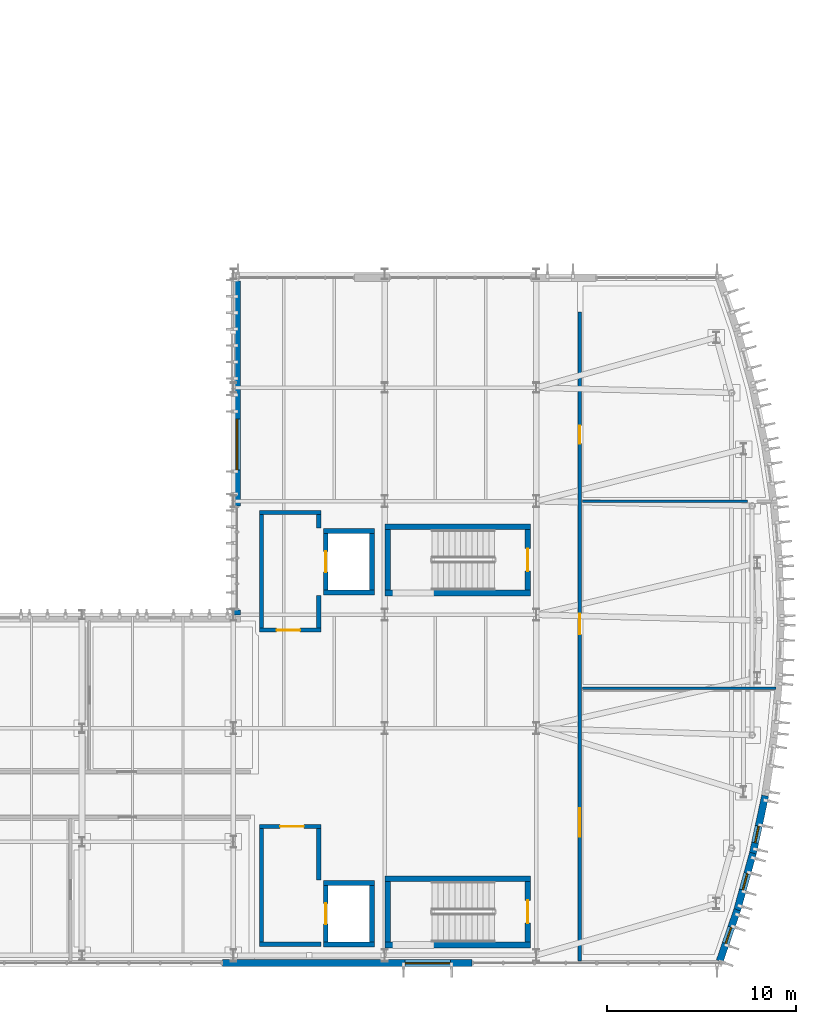
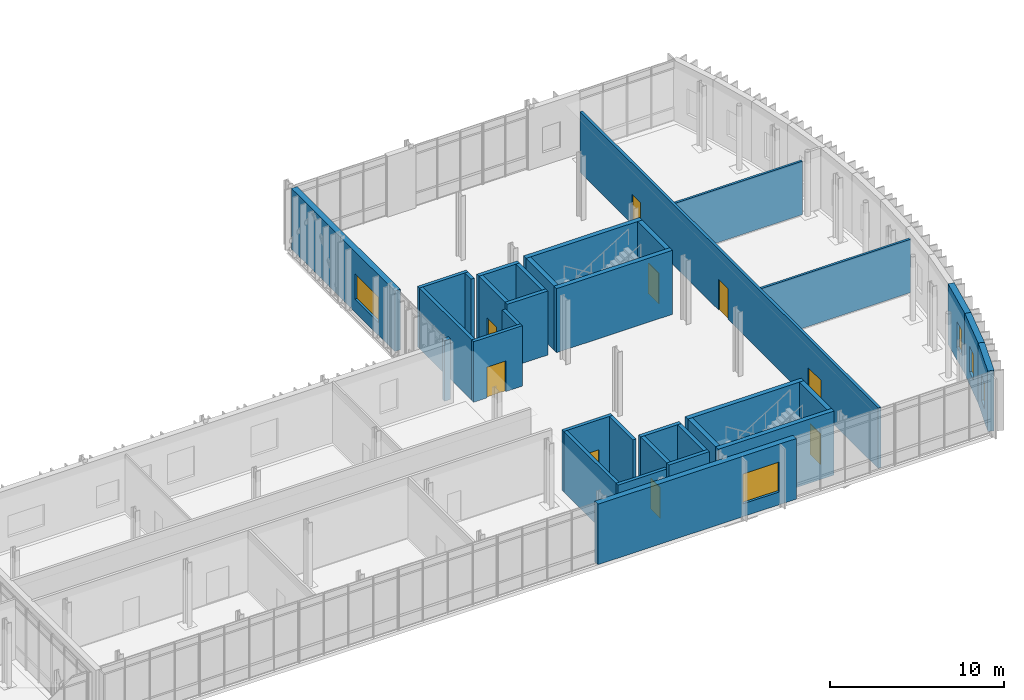
# One storey, part 72 of 100: 34 walls, 9 doors, 5 windows, 14 openings.
"""IFC4 building model written with IfcOpenShell, lengths in metres."""

import ifcopenshell
import ifcopenshell.guid

model = None  # the IFC model being written
_history = None  # IfcOwnerHistory: only IFC2X3 demands one
_inside = {}  # id of a spatial element -> (the spatial element, [elements in it])
_under = {}  # id of a project, library or spatial element -> (it, [spatial elements below it])
_declared = {}  # id of a project -> (the project, [libraries it declares])
_typed = {}  # id of a type object -> (the type object, [elements of that type])
_made_of = {}  # id of a material, layer set ... -> (it, [elements and type objects made of it])


def new_model(schema):
    """Start an empty IFC model of exactly this schema.

    Asked for "IFC4X3", IfcOpenShell would pick the latest addendum, in which some entities
    have other attributes; the version numbers below select the first issue.
    IFC2X3 requires an IfcOwnerHistory on every rooted entity: one is made here for all.
    """
    global model, _history
    if schema == "IFC4X3":
        model = ifcopenshell.file(schema_version=(4, 3, 0, 0))
    else:
        model = ifcopenshell.file(schema=schema)
    _inside.clear()
    _under.clear()
    _declared.clear()
    _typed.clear()
    _made_of.clear()
    _history = None
    if model.schema == "IFC2X3":
        org = make("IfcOrganization", Name="unknown")
        user = make(
            "IfcPersonAndOrganization",
            ThePerson=make("IfcPerson", FamilyName="unknown"),
            TheOrganization=org,
        )
        app = make(
            "IfcApplication",
            ApplicationDeveloper=org,
            Version="unknown",
            ApplicationFullName="unknown",
            ApplicationIdentifier="unknown",
        )
        _history = make(
            "IfcOwnerHistory",
            OwningUser=user,
            OwningApplication=app,
            ChangeAction="ADDED",
            CreationDate=0,
        )
    return model


def make(cls, **values):
    """One entity of the class cls with the attributes given. An attribute that is None is left unset."""
    return model.create_entity(
        cls, **{name: value for name, value in values.items() if value is not None}
    )


def rooted(cls, **values):
    """An entity with a GlobalId (a new one), such as an element, a storey or a relation."""
    return make(cls, GlobalId=ifcopenshell.guid.new(), OwnerHistory=_history, **values)


def si_unit(unit_type, name, prefix=None):
    """IfcSIUnit, for example si_unit("LENGTHUNIT", "METRE", prefix="MILLI")."""
    return make("IfcSIUnit", UnitType=unit_type, Prefix=prefix, Name=name)


def assignment(units):
    """IfcUnitAssignment: the units of a project."""
    return None if units is None else make("IfcUnitAssignment", Units=units)


def point(xyz):
    """IfcCartesianPoint."""
    return None if xyz is None else make("IfcCartesianPoint", Coordinates=xyz)


def direction(xyz):
    """IfcDirection."""
    return None if xyz is None else make("IfcDirection", DirectionRatios=xyz)


def frame(location, z_axis=None, x_axis=None):
    """IfcAxis2Placement3D, a coordinate frame: its origin and axes. An axis left out is left unset."""
    return make(
        "IfcAxis2Placement3D",
        Location=point(location),
        Axis=direction(z_axis),
        RefDirection=direction(x_axis),
    )


def frame_2d(location, x_axis=None):
    """IfcAxis2Placement2D, a coordinate frame in the plane: its origin and x axis."""
    return make(
        "IfcAxis2Placement2D", Location=point(location), RefDirection=direction(x_axis)
    )


def origin():
    """The frame at (0, 0, 0) with its axes left unset."""
    return frame((0.0, 0.0, 0.0))


def place(relative_to, where):
    """IfcLocalPlacement: puts the frame where relative to a parent placement (None: the world)."""
    return make(
        "IfcLocalPlacement", PlacementRelTo=relative_to, RelativePlacement=where
    )


def context(
    kind, dimensions, precision=None, world=None, true_north=None, identifier=None
):
    """IfcGeometricRepresentationContext, for example the 3D "Model" context."""
    return make(
        "IfcGeometricRepresentationContext",
        ContextIdentifier=identifier,
        ContextType=kind,
        CoordinateSpaceDimension=dimensions,
        Precision=precision,
        WorldCoordinateSystem=world,
        TrueNorth=true_north,
    )


def subcontext(parent, identifier, kind, view, scale=None):
    """IfcGeometricRepresentationSubContext, for example "Body" below "Model"."""
    return make(
        "IfcGeometricRepresentationSubContext",
        ContextIdentifier=identifier,
        ContextType=kind,
        ParentContext=parent,
        TargetScale=scale,
        TargetView=view,
    )


def project(units=None, contexts=None):
    """IfcProject with its units and contexts."""
    return rooted(
        "IfcProject",
        Name="project",
        RepresentationContexts=contexts,
        UnitsInContext=assignment(units),
    )


def spatial(cls, under=None, at=None, **own):
    """A site, building, storey or space (cls), placed at a placement, below another one or the project."""
    s = rooted(cls, ObjectPlacement=at, **own)
    if under is not None:
        _under.setdefault(under.id(), (under, []))[1].append(s)
    return s


def profile(cls, at=None, kind="AREA", **sizes):
    """A parametric profile (cls). Its sizes go by their IFC names, for example OverallWidth=200.0."""
    return make(cls, ProfileType=kind, Position=at, **sizes)


def rectangle(**sizes):
    """IfcRectangleProfileDef."""
    return profile("IfcRectangleProfileDef", **sizes)


def extrude(swept, where, along, depth):
    """IfcExtrudedAreaSolid: the profile swept, set in the frame where, extruded along a direction by depth."""
    return make(
        "IfcExtrudedAreaSolid",
        SweptArea=swept,
        Position=where,
        ExtrudedDirection=direction(along),
        Depth=depth,
    )


def shape(context_of_items, identifier, shape_type, items):
    """IfcShapeRepresentation: the items that make up one representation, for example the "Body"."""
    return make(
        "IfcShapeRepresentation",
        ContextOfItems=context_of_items,
        RepresentationIdentifier=identifier,
        RepresentationType=shape_type,
        Items=items,
    )


def material(Name=None, Category=None):
    """IfcMaterial."""
    return make("IfcMaterial", Name=Name, Category=Category)


def layer(
    of_material, thickness, ventilated=None, Name=None, Category=None, Priority=None
):
    """IfcMaterialLayer: one layer of a wall or slab, of a material (None: an air gap)."""
    return make(
        "IfcMaterialLayer",
        Material=of_material,
        LayerThickness=thickness,
        IsVentilated=ventilated,
        Name=Name,
        Category=Category,
        Priority=Priority,
    )


def layer_set(layers, Name=None):
    """IfcMaterialLayerSet."""
    return make("IfcMaterialLayerSet", MaterialLayers=layers, LayerSetName=Name)


def made_of(thing, what):
    """Note that an element or type object is made of a material, layer set ...; save() writes the relation."""
    if what is not None:
        _made_of.setdefault(what.id(), (what, []))[1].append(thing)
    return thing


def type_object(cls, material=None, **own):
    """A type object (cls), such as IfcWallType, which elements share."""
    return made_of(rooted(cls, **own), material)


def element(
    cls,
    number,
    at=None,
    inside=None,
    cuts=None,
    type_object=None,
    material=None,
    context=None,
    identifier="Body",
    shape_type=None,
    held_by="IfcProductDefinitionShape",
    body=None,
    shapes=None,
    **own,
):
    """One element of the class cls, such as IfcWall. Its Tag is "e" and its number.

    at: its placement. inside: the storey or other place that contains it. cuts: it is an
    opening in that element (IfcRelVoidsElement). A single representation is given by context,
    identifier, shape_type and body (its items); several are given by shapes. held_by: the class
    of the entity that holds the representations. save() writes the other relations.
    """
    e = rooted(cls, Tag="e%d" % number, ObjectPlacement=at, **own)
    if body is not None:
        shapes = [shape(context, identifier, shape_type, body)]
    if shapes is not None:
        e.Representation = make(held_by, Representations=shapes)
    if inside is not None:
        _inside.setdefault(inside.id(), (inside, []))[1].append(e)
    if cuts is not None:
        rooted(
            "IfcRelVoidsElement", RelatingBuildingElement=cuts, RelatedOpeningElement=e
        )
    if type_object is not None:
        _typed.setdefault(type_object.id(), (type_object, []))[1].append(e)
    return made_of(e, material)


def fill(opening, filler):
    """IfcRelFillsElement: the door or window that sits in an opening."""
    return rooted(
        "IfcRelFillsElement",
        RelatingOpeningElement=opening,
        RelatedBuildingElement=filler,
    )


def aggregate(whole, parts):
    """IfcRelAggregates: a whole, such as a stair, and the parts it consists of."""
    return rooted("IfcRelAggregates", RelatingObject=whole, RelatedObjects=parts)


def save(model, path):
    """Write the relations noted so far, then the file.

    IfcRelAggregates (storeys below a building ...), IfcRelContainedInSpatialStructure (elements
    in a storey), IfcRelDefinesByType, IfcRelAssociatesMaterial and IfcRelDeclares: one each for
    every whole, place, type object, material and project.
    """
    for whole, parts in _under.values():
        aggregate(whole, parts)
    for where, things in _inside.values():
        rooted(
            "IfcRelContainedInSpatialStructure",
            RelatedElements=things,
            RelatingStructure=where,
        )
    for kind, things in _typed.values():
        rooted("IfcRelDefinesByType", RelatedObjects=things, RelatingType=kind)
    for what, things in _made_of.values():
        rooted("IfcRelAssociatesMaterial", RelatedObjects=things, RelatingMaterial=what)
    for by, libraries in _declared.values():
        rooted("IfcRelDeclares", RelatingContext=by, RelatedDefinitions=libraries)
    model.write(path)


model = new_model("IFC4")

# Units and contexts
model_context = context("Model", 3, precision=1e-05, world=origin(), true_north=direction((0.0, 1.0)))
body_context = subcontext(model_context, "Body", "Model", "MODEL_VIEW")
ifc_project = project(units=[si_unit("LENGTHUNIT", "METRE"), si_unit("AREAUNIT", "SQUARE_METRE"), si_unit("VOLUMEUNIT", "CUBIC_METRE"), si_unit("PLANEANGLEUNIT", "RADIAN"), si_unit("MASSUNIT", "GRAM", prefix="KILO")], contexts=[model_context])

# Site, building, storey
site_placement = place(None, origin())
site = spatial("IfcSite", under=ifc_project, at=site_placement, CompositionType="ELEMENT")
building_placement = place(site_placement, origin())
building = spatial("IfcBuilding", under=site, at=building_placement, Name="Cymarion Research Institute", CompositionType="ELEMENT")
storey_placement = place(building_placement, frame((0.0, 0.0, 4.800048828125)))
storey = spatial("IfcBuildingStorey", under=building, at=storey_placement, Name="L01", CompositionType="ELEMENT", Elevation=4.800048828125)

# Wall, opening, window
ifc_material_1 = material(Name="Precast concrete C40/50", Category="concrete")
ifc_layer_1 = layer(ifc_material_1, 0.3798828125)
ifc_layer_set_1 = layer_set([ifc_layer_1], Name="Precast concrete C40/50")
wall_type_1 = type_object("IfcWallType", Name="EXTERIOR WALL EW-PC380 380MM", PredefinedType="SOLIDWALL", material=ifc_layer_set_1)
wall_1_placement = place(storey_placement, frame((138.027587890625, 5.090087890625, 0.0), z_axis=(0.0, 0.0, 1.0), x_axis=(1.0, 0.0, 0.0)))
wall_1 = element("IfcWall", 1, at=wall_1_placement, inside=storey, type_object=wall_type_1, Name="L01 V1 facade pier wall EW-PC380 #75", PredefinedType="SOLIDWALL", context=body_context, shape_type="SweptSolid", body=[
    extrude(rectangle(XDim=13.186279296875, YDim=0.3798828125, at=frame_2d((6.59326171875, 0.0))), origin(), (0.0, 0.0, 1.0), 4.25),
])
opening_1_placement = place(wall_1_placement, frame((9.638916015625, 0.0, 0.89990234375)))
opening_1 = element("IfcOpeningElement", 2, at=opening_1_placement, cuts=wall_1, Name="Opening W12", PredefinedType="OPENING", context=body_context, shape_type="SweptSolid", body=[
    extrude(rectangle(XDim=2.39990234375, YDim=2.10009765625, at=frame_2d((1.199951171875, 1.050048828125))), frame((0.0, 0.199951171875, 0.0), z_axis=(0.0, -1.0, 0.0), x_axis=(1.0, 0.0, 0.0)), (0.0, 0.0, 1.0), 0.39990234375),
])
ifc_material_2 = material(Name="Thermally broken aluminium window with Low-E glazing", Category="aluminium")
window_type_1 = type_object("IfcWindowType", Name="THERMALLY BROKEN ALUMINIUM WINDOW W12 2400X2100", PartitioningType="TRIPLE_PANEL_VERTICAL", PredefinedType="WINDOW", material=ifc_material_2)
window_1_placement = place(opening_1_placement, origin())
window_1 = element("IfcWindow", 3, at=window_1_placement, inside=storey, type_object=window_type_1, Name="L01 V1 facade window W12 #146", OverallHeight=2.10009765625, OverallWidth=2.39990234375, PartitioningType="SINGLE_PANEL", PredefinedType="WINDOW", context=body_context, shape_type="SweptSolid", body=[
    extrude(rectangle(XDim=2.39990234375, YDim=2.10009765625, at=frame_2d((1.199951171875, 1.050048828125))), frame((0.0, 0.030029296875, 0.0), z_axis=(0.0, -1.0, 0.0), x_axis=(1.0, 0.0, 0.0)), (0.0, 0.0, 1.0), 0.06005859375),
])
fill(opening_1, window_1)

wall_2_placement = place(storey_placement, frame((164.30224609375, 5.201416015625, 0.0), z_axis=(0.0, 0.0, 1.0), x_axis=(0.323739917301, 0.946146112366, 0.0)))
wall_2 = element("IfcWall", 4, at=wall_2_placement, inside=storey, type_object=wall_type_1, Name="L01 V1 exterior wall EW-PC380 #76", PredefinedType="SOLIDWALL", context=body_context, shape_type="SweptSolid", body=[
    extrude(rectangle(XDim=2.862548828125, YDim=0.3798828125, at=frame_2d((1.43115234375, 0.0))), origin(), (0.0, 0.0, 1.0), 4.25),
])
opening_2_placement = place(wall_2_placement, frame((0.98095703125, 0.0, 0.89990234375)))
opening_2 = element("IfcOpeningElement", 5, at=opening_2_placement, cuts=wall_2, Name="Opening W24", PredefinedType="OPENING", context=body_context, shape_type="SweptSolid", body=[
    extrude(rectangle(XDim=0.89990234375, YDim=1.800048828125, at=frame_2d((0.449951171875, 0.89990234375))), frame((0.0, 0.199951171875, 0.0), z_axis=(0.0, -1.0, 0.0), x_axis=(1.0, 0.0, 0.0)), (0.0, 0.0, 1.0), 0.39990234375),
])
window_type_2 = type_object("IfcWindowType", Name="THERMALLY BROKEN ALUMINIUM WINDOW W24 900X1800", PartitioningType="SINGLE_PANEL", PredefinedType="WINDOW", material=ifc_material_2)
window_2_placement = place(opening_2_placement, origin())
window_2 = element("IfcWindow", 6, at=window_2_placement, inside=storey, type_object=window_type_2, Name="L01 V1 facade window W24 #147", OverallHeight=1.800048828125, OverallWidth=0.89990234375, PartitioningType="SINGLE_PANEL", PredefinedType="WINDOW", context=body_context, shape_type="SweptSolid", body=[
    extrude(rectangle(XDim=0.89990234375, YDim=1.800048828125, at=frame_2d((0.449951171875, 0.89990234375))), frame((0.0, 0.030029296875, 0.0), z_axis=(0.0, -1.0, 0.0), x_axis=(1.0, 0.0, 0.0)), (0.0, 0.0, 1.0), 0.06005859375),
])
fill(opening_2, window_2)

wall_3_placement = place(storey_placement, frame((165.222412109375, 7.8876953125, 0.0), z_axis=(0.0, 0.0, 1.0), x_axis=(0.266536691105, 0.963824772609, 0.0)))
wall_3 = element("IfcWall", 7, at=wall_3_placement, inside=storey, type_object=wall_type_1, Name="L01 V1 exterior wall EW-PC380 #77", PredefinedType="SOLIDWALL", context=body_context, shape_type="SweptSolid", body=[
    extrude(rectangle(XDim=3.1279296875, YDim=0.3798828125, at=frame_2d((1.56396484375, 0.0))), origin(), (0.0, 0.0, 1.0), 4.25),
])
opening_3_placement = place(wall_3_placement, frame((1.114013671875, 0.0, 0.89990234375)))
opening_3 = element("IfcOpeningElement", 8, at=opening_3_placement, cuts=wall_3, Name="Opening W24", PredefinedType="OPENING", context=body_context, shape_type="SweptSolid", body=[
    extrude(rectangle(XDim=0.89990234375, YDim=1.800048828125, at=frame_2d((0.449951171875, 0.89990234375))), frame((0.0, 0.199951171875, 0.0), z_axis=(0.0, -1.0, 0.0), x_axis=(1.0, 0.0, 0.0)), (0.0, 0.0, 1.0), 0.39990234375),
])
window_3_placement = place(opening_3_placement, origin())
window_3 = element("IfcWindow", 9, at=window_3_placement, inside=storey, type_object=window_type_2, Name="L01 V1 facade window W24 #148", OverallHeight=1.800048828125, OverallWidth=0.89990234375, PartitioningType="SINGLE_PANEL", PredefinedType="WINDOW", context=body_context, shape_type="SweptSolid", body=[
    extrude(rectangle(XDim=0.89990234375, YDim=1.800048828125, at=frame_2d((0.449951171875, 0.89990234375))), frame((0.0, 0.030029296875, 0.0), z_axis=(0.0, -1.0, 0.0), x_axis=(1.0, 0.0, 0.0)), (0.0, 0.0, 1.0), 0.06005859375),
])
fill(opening_3, window_3)

wall_4_placement = place(storey_placement, frame((166.05078125, 10.8798828125, 0.0), z_axis=(0.0, 0.0, 1.0), x_axis=(0.208287141705, 0.978067720866, 0.0)))
wall_4 = element("IfcWall", 10, at=wall_4_placement, inside=storey, type_object=wall_type_1, Name="L01 V1 exterior wall EW-PC380 #78", PredefinedType="SOLIDWALL", context=body_context, shape_type="SweptSolid", body=[
    extrude(rectangle(XDim=3.12841796875, YDim=0.3798828125, at=frame_2d((1.564208984375, 0.0))), origin(), (0.0, 0.0, 1.0), 4.25),
])
opening_4_placement = place(wall_4_placement, frame((0.5830078125, 0.0, 0.89990234375)))
opening_4 = element("IfcOpeningElement", 11, at=opening_4_placement, cuts=wall_4, Name="Opening W24", PredefinedType="OPENING", context=body_context, shape_type="SweptSolid", body=[
    extrude(rectangle(XDim=0.89990234375, YDim=1.800048828125, at=frame_2d((0.449951171875, 0.89990234375))), frame((0.0, 0.199951171875, 0.0), z_axis=(0.0, -1.0, 0.0), x_axis=(1.0, 0.0, 0.0)), (0.0, 0.0, 1.0), 0.39990234375),
])
window_4_placement = place(opening_4_placement, origin())
window_4 = element("IfcWindow", 12, at=window_4_placement, inside=storey, type_object=window_type_2, Name="L01 V1 facade window W24 #149", OverallHeight=1.800048828125, OverallWidth=0.89990234375, PartitioningType="SINGLE_PANEL", PredefinedType="WINDOW", context=body_context, shape_type="SweptSolid", body=[
    extrude(rectangle(XDim=0.89990234375, YDim=1.800048828125, at=frame_2d((0.449951171875, 0.89990234375))), frame((0.0, 0.030029296875, 0.0), z_axis=(0.0, -1.0, 0.0), x_axis=(1.0, 0.0, 0.0)), (0.0, 0.0, 1.0), 0.06005859375),
])
fill(opening_4, window_4)

wall_5_placement = place(storey_placement, frame((138.7900390625, 41.137939453125, 0.0), z_axis=(0.0, 0.0, 1.0), x_axis=(0.0, -1.0, 0.0)))
wall_5 = element("IfcWall", 13, at=wall_5_placement, inside=storey, type_object=wall_type_1, Name="L01 V1 facade pier wall EW-PC380 #91", PredefinedType="SOLIDWALL", context=body_context, shape_type="SweptSolid", body=[
    extrude(rectangle(XDim=11.89794921875, YDim=0.3798828125, at=frame_2d((5.948974609375, 0.0))), origin(), (0.0, 0.0, 1.0), 4.25),
])
opening_5_placement = place(wall_5_placement, frame((7.298095703125, 0.0, 0.89990234375)))
opening_5 = element("IfcOpeningElement", 14, at=opening_5_placement, cuts=wall_5, Name="Opening W06", PredefinedType="OPENING", context=body_context, shape_type="SweptSolid", body=[
    extrude(rectangle(XDim=2.699951171875, YDim=1.800048828125, at=frame_2d((1.35009765625, 0.89990234375))), frame((0.0, 0.199951171875, 0.0), z_axis=(0.0, -1.0, 0.0), x_axis=(1.0, 0.0, 0.0)), (0.0, 0.0, 1.0), 0.39990234375),
])
window_type_3 = type_object("IfcWindowType", Name="THERMALLY BROKEN ALUMINIUM WINDOW W06 2700X1800", PartitioningType="TRIPLE_PANEL_VERTICAL", PredefinedType="WINDOW", material=ifc_material_2)
window_5_placement = place(opening_5_placement, origin())
window_5 = element("IfcWindow", 15, at=window_5_placement, inside=storey, type_object=window_type_3, Name="L01 V1 facade window W06 #160", OverallHeight=1.800048828125, OverallWidth=2.699951171875, PartitioningType="SINGLE_PANEL", PredefinedType="WINDOW", context=body_context, shape_type="SweptSolid", body=[
    extrude(rectangle(XDim=2.699951171875, YDim=1.800048828125, at=frame_2d((1.35009765625, 0.89990234375))), frame((0.0, 0.030029296875, 0.0), z_axis=(0.0, -1.0, 0.0), x_axis=(1.0, 0.0, 0.0)), (0.0, 0.0, 1.0), 0.06005859375),
])
fill(opening_5, window_5)

# Walls
wall_6_placement = place(storey_placement, frame((138.7900390625, 23.760009765625, 0.0), z_axis=(0.0, 0.0, 1.0), x_axis=(0.0, -1.0, 0.0)))
element("IfcWall", 16, at=wall_6_placement, inside=storey, type_object=wall_type_1, Name="L01 V1 facade pier wall EW-PC380 #92", PredefinedType="SOLIDWALL", context=body_context, shape_type="SweptSolid", body=[
    extrude(rectangle(XDim=0.260009765625, YDim=0.3798828125, at=frame_2d((0.1298828125, 0.0))), origin(), (0.0, 0.0, 1.0), 4.25),
])
ifc_material_3 = material(Name="Gypsum acoustic double-stud partition", Category="gypsum")
ifc_layer_2 = layer(ifc_material_3, 0.14990234375)
ifc_layer_set_2 = layer_set([ifc_layer_2], Name="Gypsum acoustic double-stud partition")
wall_type_2 = type_object("IfcWallType", Name="INTERIOR PARTITION IW-AC150 150MM", PredefinedType="PARTITIONING", material=ifc_layer_set_2)
wall_7_placement = place(storey_placement, frame((157.050048828125, 19.6201171875, 0.0), z_axis=(0.0, 0.0, 1.0), x_axis=(1.0, 0.0, 0.0)))
element("IfcWall", 17, at=wall_7_placement, inside=storey, type_object=wall_type_2, Name="L01 V1 interior partition IW-AC150 #117", PredefinedType="PARTITIONING", context=body_context, shape_type="SweptSolid", body=[
    extrude(rectangle(XDim=10.23486328125, YDim=0.14990234375, at=frame_2d((5.117431640625, 0.0))), origin(), (0.0, 0.0, 1.0), 3.75),
])
wall_8_placement = place(storey_placement, frame((157.050048828125, 29.5, 0.0), z_axis=(0.0, 0.0, 1.0), x_axis=(1.0, 0.0, 0.0)))
element("IfcWall", 18, at=wall_8_placement, inside=storey, type_object=wall_type_2, Name="L01 V1 interior partition IW-AC150 #118", PredefinedType="PARTITIONING", context=body_context, shape_type="SweptSolid", body=[
    extrude(rectangle(XDim=8.712890625, YDim=0.14990234375, at=frame_2d((4.3564453125, 0.0))), origin(), (0.0, 0.0, 1.0), 3.75),
])

# Wall, openings, doors
ifc_material_4 = material(Name="Moisture-resistant laboratory partition", Category="gypsum")
ifc_layer_3 = layer(ifc_material_4, 0.179931640625)
ifc_layer_set_3 = layer_set([ifc_layer_3], Name="Moisture-resistant laboratory partition")
wall_type_3 = type_object("IfcWallType", Name="INTERIOR PARTITION IW-LB180 180MM", PredefinedType="PARTITIONING", material=ifc_layer_set_3)
wall_9_placement = place(storey_placement, frame((156.89990234375, 5.205078125, 0.0), z_axis=(0.0, 0.0, 1.0), x_axis=(0.0, 1.0, 0.0)))
wall_9 = element("IfcWall", 19, at=wall_9_placement, inside=storey, type_object=wall_type_3, Name="L01 V1 interior partition IW-LB180 #116", PredefinedType="PARTITIONING", context=body_context, shape_type="SweptSolid", body=[
    extrude(rectangle(XDim=34.294921875, YDim=0.179931640625, at=frame_2d((17.1474609375, 0.0))), origin(), (0.0, 0.0, 1.0), 4.25),
])
opening_6_placement = place(wall_9_placement, frame((6.55908203125, 0.0, 0.0)))
opening_6 = element("IfcOpeningElement", 20, at=opening_6_placement, cuts=wall_9, Name="Opening D-L01-081", PredefinedType="OPENING", context=body_context, shape_type="SweptSolid", body=[
    extrude(rectangle(XDim=1.5, YDim=2.199951171875, at=frame_2d((0.75, 1.10009765625))), frame((0.0, 0.099853515625, 0.0), z_axis=(0.0, -1.0, 0.0), x_axis=(1.0, 0.0, 0.0)), (0.0, 0.0, 1.0), 0.199951171875),
])
opening_7_placement = place(wall_9_placement, frame((17.260986328125, 0.0, 0.0)))
opening_7 = element("IfcOpeningElement", 21, at=opening_7_placement, cuts=wall_9, Name="Opening D-L01-082", PredefinedType="OPENING", context=body_context, shape_type="SweptSolid", body=[
    extrude(rectangle(XDim=1.10009765625, YDim=2.14990234375, at=frame_2d((0.550048828125, 1.074951171875))), frame((0.0, 0.099853515625, 0.0), z_axis=(0.0, -1.0, 0.0), x_axis=(1.0, 0.0, 0.0)), (0.0, 0.0, 1.0), 0.199951171875),
])
opening_8_placement = place(wall_9_placement, frame((27.343017578125, 0.0, 0.0)))
opening_8 = element("IfcOpeningElement", 22, at=opening_8_placement, cuts=wall_9, Name="Opening D-L01-083", PredefinedType="OPENING", context=body_context, shape_type="SweptSolid", body=[
    extrude(rectangle(XDim=0.949951171875, YDim=2.10009765625, at=frame_2d((0.47509765625, 1.050048828125))), frame((0.0, 0.099853515625, 0.0), z_axis=(0.0, -1.0, 0.0), x_axis=(1.0, 0.0, 0.0)), (0.0, 0.0, 1.0), 0.199951171875),
])
ifc_material_5 = material(Name="Flush acoustic timber/steel door assembly", Category="steel")
door_type_1 = type_object("IfcDoorType", Name="FACULTY STUDY DOOR DT-OF095 950X2100", OperationType="NOTDEFINED", PredefinedType="DOOR", material=ifc_material_5)
door_1_placement = place(opening_8_placement, origin())
door_1 = element("IfcDoor", 23, at=door_1_placement, inside=storey, type_object=door_type_1, Name="L01 Prow Seminar door D-L01-083", OperationType="SINGLE_SWING_RIGHT", OverallHeight=2.10009765625, OverallWidth=0.949951171875, PredefinedType="DOOR", context=body_context, shape_type="SweptSolid", body=[
    extrude(rectangle(XDim=0.949951171875, YDim=2.10009765625, at=frame_2d((0.47509765625, 1.050048828125))), frame((0.0, 0.02490234375, 0.0), z_axis=(0.0, -1.0, 0.0), x_axis=(1.0, 0.0, 0.0)), (0.0, 0.0, 1.0), 0.050048828125),
])
fill(opening_8, door_1)
door_type_2 = type_object("IfcDoorType", Name="LABORATORY EQUIPMENT DOUBLE DOOR DT-LB150 1500X2200", OperationType="DOUBLE_DOOR_SINGLE_SWING", PredefinedType="DOOR", material=ifc_material_5)
door_2_placement = place(opening_6_placement, origin())
door_2 = element("IfcDoor", 24, at=door_2_placement, inside=storey, type_object=door_type_2, Name="L01 Prow Lab 1 door D-L01-081", OperationType="DOUBLE_DOOR_SINGLE_SWING", OverallHeight=2.199951171875, OverallWidth=1.5, PredefinedType="DOOR", context=body_context, shape_type="SweptSolid", body=[
    extrude(rectangle(XDim=1.5, YDim=2.199951171875, at=frame_2d((0.75, 1.10009765625))), frame((0.0, 0.02490234375, 0.0), z_axis=(0.0, -1.0, 0.0), x_axis=(1.0, 0.0, 0.0)), (0.0, 0.0, 1.0), 0.050048828125),
])
fill(opening_6, door_2)
door_type_3 = type_object("IfcDoorType", Name="LABORATORY WIDE SINGLE DOOR DT-LB110 1100X2150", OperationType="NOTDEFINED", PredefinedType="DOOR", material=ifc_material_5)
door_3_placement = place(opening_7_placement, origin())
door_3 = element("IfcDoor", 25, at=door_3_placement, inside=storey, type_object=door_type_3, Name="L01 Prow Lab 2 door D-L01-082", OperationType="SINGLE_SWING_LEFT", OverallHeight=2.14990234375, OverallWidth=1.10009765625, PredefinedType="DOOR", context=body_context, shape_type="SweptSolid", body=[
    extrude(rectangle(XDim=1.10009765625, YDim=2.14990234375, at=frame_2d((0.550048828125, 1.074951171875))), frame((0.0, 0.02490234375, 0.0), z_axis=(0.0, -1.0, 0.0), x_axis=(1.0, 0.0, 0.0)), (0.0, 0.0, 1.0), 0.050048828125),
])
fill(opening_7, door_3)

# Wall
ifc_material_6 = material(Name="Concrete C40/50", Category="concrete")
ifc_layer_4 = layer(ifc_material_6, 0.219970703125)
ifc_layer_set_4 = layer_set([ifc_layer_4], Name="Concrete C40/50")
wall_type_4 = type_object("IfcWallType", Name="REINFORCED CONCRETE CORE WALL CW-FF220 220MM", PredefinedType="SOLIDWALL", material=ifc_layer_set_4)
wall_10_placement = place(storey_placement, frame((139.97998046875, 6.090087890625, 0.0), z_axis=(0.0, 0.0, 1.0), x_axis=(1.0, 0.0, 0.0)))
element("IfcWall", 26, at=wall_10_placement, inside=storey, type_object=wall_type_4, Name="L01 FFL-LF1-L01 south core wall", PredefinedType="SOLIDWALL", context=body_context, shape_type="SweptSolid", body=[
    extrude(rectangle(XDim=3.239990234375, YDim=0.219970703125, at=frame_2d((1.6201171875, 0.0))), origin(), (0.0, 0.0, 1.0), 4.25),
])

# Wall, opening, door
wall_11_placement = place(storey_placement, frame((143.219970703125, 12.31005859375, 0.0), z_axis=(0.0, 0.0, 1.0), x_axis=(-1.0, 0.0, 0.0)))
wall_11 = element("IfcWall", 27, at=wall_11_placement, inside=storey, type_object=wall_type_4, Name="L01 FFL-LF1-L01 north core wall", PredefinedType="SOLIDWALL", context=body_context, shape_type="SweptSolid", body=[
    extrude(rectangle(XDim=3.239990234375, YDim=0.219970703125, at=frame_2d((1.6201171875, 0.0))), origin(), (0.0, 0.0, 1.0), 4.25),
])
opening_9_placement = place(wall_11_placement, frame((0.89990234375, 0.0, 0.0)))
opening_9 = element("IfcOpeningElement", 28, at=opening_9_placement, cuts=wall_11, Name="Opening FD-FFL-LF1-L01", PredefinedType="OPENING", context=body_context, shape_type="SweptSolid", body=[
    extrude(rectangle(XDim=1.25, YDim=2.14990234375, at=frame_2d((0.625, 1.074951171875))), frame((0.0, 0.119873046875, 0.0), z_axis=(0.0, -1.0, 0.0), x_axis=(1.0, 0.0, 0.0)), (0.0, 0.0, 1.0), 0.239990234375),
])
ifc_material_7 = material(Name="Fire-rated insulated steel door assembly", Category="steel")
door_type_4 = type_object("IfcDoorType", Name="FIREFIGHTING LOBBY DOOR DT-FF125 1250X2150", OperationType="NOTDEFINED", PredefinedType="DOOR", material=ifc_material_7)
door_4_placement = place(opening_9_placement, frame((1.25, 0.0, 0.0), z_axis=(0.0, 0.0, 1.0), x_axis=(-1.0, 0.0, 0.0)))
door_4 = element("IfcDoor", 29, at=door_4_placement, inside=storey, type_object=door_type_4, Name="L01 Firefighting lobby door FD-FFL-LF1-L01", OperationType="SINGLE_SWING_LEFT", OverallHeight=2.14990234375, OverallWidth=1.25, PredefinedType="DOOR", context=body_context, shape_type="SweptSolid", body=[
    extrude(rectangle(XDim=1.25, YDim=2.14990234375, at=frame_2d((0.625, 1.074951171875))), frame((0.0, 0.02490234375, 0.0), z_axis=(0.0, -1.0, 0.0), x_axis=(1.0, 0.0, 0.0)), (0.0, 0.0, 1.0), 0.050048828125),
])
fill(opening_9, door_4)

# Walls
wall_12_placement = place(storey_placement, frame((140.090087890625, 12.199951171875, 0.0), z_axis=(0.0, 0.0, 1.0), x_axis=(0.0, -1.0, 0.0)))
element("IfcWall", 30, at=wall_12_placement, inside=storey, type_object=wall_type_4, Name="L01 FFL-LF1-L01 west core wall", PredefinedType="SOLIDWALL", context=body_context, shape_type="SweptSolid", body=[
    extrude(rectangle(XDim=6.0, YDim=0.219970703125, at=frame_2d((3.0, 0.0))), origin(), (0.0, 0.0, 1.0), 4.25),
])
wall_13_placement = place(storey_placement, frame((143.110107421875, 9.47998046875, 0.0), z_axis=(0.0, 0.0, 1.0), x_axis=(0.0, 1.0, 0.0)))
element("IfcWall", 31, at=wall_13_placement, inside=storey, type_object=wall_type_4, Name="Core C1 firefighting lobby east closure wall L01", PredefinedType="SOLIDWALL", context=body_context, shape_type="SweptSolid", body=[
    extrude(rectangle(XDim=2.719970703125, YDim=0.219970703125, at=frame_2d((1.35986328125, 0.0))), origin(), (0.0, 0.0, 1.0), 4.25),
])

# Wall, opening, door
wall_14_placement = place(storey_placement, frame((139.97998046875, 22.68994140625, 0.0), z_axis=(0.0, 0.0, 1.0), x_axis=(1.0, 0.0, 0.0)))
wall_14 = element("IfcWall", 32, at=wall_14_placement, inside=storey, type_object=wall_type_4, Name="L01 FFL-LF2-L01 south core wall", PredefinedType="SOLIDWALL", context=body_context, shape_type="SweptSolid", body=[
    extrude(rectangle(XDim=3.239990234375, YDim=0.219970703125, at=frame_2d((1.6201171875, 0.0))), origin(), (0.0, 0.0, 1.0), 4.25),
])
opening_10_placement = place(wall_14_placement, frame((0.89990234375, 0.0, 0.0)))
opening_10 = element("IfcOpeningElement", 33, at=opening_10_placement, cuts=wall_14, Name="Opening FD-FFL-LF2-L01", PredefinedType="OPENING", context=body_context, shape_type="SweptSolid", body=[
    extrude(rectangle(XDim=1.25, YDim=2.14990234375, at=frame_2d((0.625, 1.074951171875))), frame((0.0, 0.119873046875, 0.0), z_axis=(0.0, -1.0, 0.0), x_axis=(1.0, 0.0, 0.0)), (0.0, 0.0, 1.0), 0.239990234375),
])
door_5_placement = place(opening_10_placement, frame((1.25, 0.0, 0.0), z_axis=(0.0, 0.0, 1.0), x_axis=(-1.0, 0.0, 0.0)))
door_5 = element("IfcDoor", 34, at=door_5_placement, inside=storey, type_object=door_type_4, Name="L01 Firefighting lobby door FD-FFL-LF2-L01", OperationType="SINGLE_SWING_LEFT", OverallHeight=2.14990234375, OverallWidth=1.25, PredefinedType="DOOR", context=body_context, shape_type="SweptSolid", body=[
    extrude(rectangle(XDim=1.25, YDim=2.14990234375, at=frame_2d((0.625, 1.074951171875))), frame((0.0, 0.02490234375, 0.0), z_axis=(0.0, -1.0, 0.0), x_axis=(1.0, 0.0, 0.0)), (0.0, 0.0, 1.0), 0.050048828125),
])
fill(opening_10, door_5)

# Walls
wall_15_placement = place(storey_placement, frame((143.219970703125, 28.909912109375, 0.0), z_axis=(0.0, 0.0, 1.0), x_axis=(-1.0, 0.0, 0.0)))
element("IfcWall", 35, at=wall_15_placement, inside=storey, type_object=wall_type_4, Name="L01 FFL-LF2-L01 north core wall", PredefinedType="SOLIDWALL", context=body_context, shape_type="SweptSolid", body=[
    extrude(rectangle(XDim=3.239990234375, YDim=0.219970703125, at=frame_2d((1.6201171875, 0.0))), origin(), (0.0, 0.0, 1.0), 4.25),
])
wall_16_placement = place(storey_placement, frame((140.090087890625, 28.800048828125, 0.0), z_axis=(0.0, 0.0, 1.0), x_axis=(0.0, -1.0, 0.0)))
element("IfcWall", 36, at=wall_16_placement, inside=storey, type_object=wall_type_4, Name="L01 FFL-LF2-L01 west core wall", PredefinedType="SOLIDWALL", context=body_context, shape_type="SweptSolid", body=[
    extrude(rectangle(XDim=6.0, YDim=0.219970703125, at=frame_2d((3.0, 0.0))), origin(), (0.0, 0.0, 1.0), 4.25),
])
wall_17_placement = place(storey_placement, frame((143.110107421875, 22.800048828125, 0.0), z_axis=(0.0, 0.0, 1.0), x_axis=(0.0, 1.0, 0.0)))
element("IfcWall", 37, at=wall_17_placement, inside=storey, type_object=wall_type_4, Name="Core C2 firefighting lobby east closure wall L01 #1", PredefinedType="SOLIDWALL", context=body_context, shape_type="SweptSolid", body=[
    extrude(rectangle(XDim=1.719970703125, YDim=0.219970703125, at=frame_2d((0.85986328125, 0.0))), origin(), (0.0, 0.0, 1.0), 4.25),
])
wall_18_placement = place(storey_placement, frame((143.110107421875, 28.080078125, 0.0), z_axis=(0.0, 0.0, 1.0), x_axis=(0.0, 1.0, 0.0)))
element("IfcWall", 38, at=wall_18_placement, inside=storey, type_object=wall_type_4, Name="Core C2 firefighting lobby east closure wall L01 #2", PredefinedType="SOLIDWALL", context=body_context, shape_type="SweptSolid", body=[
    extrude(rectangle(XDim=0.719970703125, YDim=0.219970703125, at=frame_2d((0.35986328125, 0.0))), origin(), (0.0, 0.0, 1.0), 4.25),
])
ifc_layer_5 = layer(ifc_material_6, 0.25)
ifc_layer_set_5 = layer_set([ifc_layer_5], Name="Concrete C40/50")
wall_type_5 = type_object("IfcWallType", Name="REINFORCED CONCRETE CORE WALL CW-SH250 250MM", PredefinedType="SHEAR", material=ifc_layer_set_5)
for number, where, z_axis, x_axis, name in (
    (39, (143.35009765625, 6.074951171875, 0.0), (0.0, 0.0, 1.0), (1.0, 0.0, 0.0), "L01 LSH-LF1-L01 south core wall"),
    (40, (146.050048828125, 9.324951171875, 0.0), (0.0, 0.0, 1.0), (-1.0, 0.0, 0.0), "L01 LSH-LF1-L01 north core wall"),
):
    element("IfcWall", number, at=place(storey_placement, frame(where, z_axis=z_axis, x_axis=x_axis)), inside=storey, type_object=wall_type_5, Name=name, PredefinedType="SHEAR", context=body_context, shape_type="SweptSolid", body=[
        extrude(rectangle(XDim=2.699951171875, YDim=0.25, at=frame_2d((1.35009765625, 0.0))), origin(), (0.0, 0.0, 1.0), 4.5),
    ])

# Wall, opening, door
wall_19_placement = place(storey_placement, frame((143.47509765625, 9.199951171875, 0.0), z_axis=(0.0, 0.0, 1.0), x_axis=(0.0, -1.0, 0.0)))
wall_19 = element("IfcWall", 41, at=wall_19_placement, inside=storey, type_object=wall_type_5, Name="L01 LSH-LF1-L01 west core wall", PredefinedType="SHEAR", context=body_context, shape_type="SweptSolid", body=[
    extrude(rectangle(XDim=3.0, YDim=0.25, at=frame_2d((1.5, 0.0))), origin(), (0.0, 0.0, 1.0), 4.5),
])
opening_11_placement = place(wall_19_placement, frame((0.949951171875, 0.0, 0.0)))
opening_11 = element("IfcOpeningElement", 42, at=opening_11_placement, cuts=wall_19, Name="Opening LD-LF1-L01", PredefinedType="OPENING", context=body_context, shape_type="SweptSolid", body=[
    extrude(rectangle(XDim=1.10009765625, YDim=2.14990234375, at=frame_2d((0.550048828125, 1.074951171875))), frame((0.0, 0.135009765625, 0.0), z_axis=(0.0, -1.0, 0.0), x_axis=(1.0, 0.0, 0.0)), (0.0, 0.0, 1.0), 0.27001953125),
])
door_type_5 = type_object("IfcDoorType", Name="SLIDING LIFT LANDING DOOR DT-LD110 1100X2150", OperationType="DOUBLE_DOOR_SLIDING", PredefinedType="DOOR", material=ifc_material_7)
door_6_placement = place(opening_11_placement, origin())
door_6 = element("IfcDoor", 43, at=door_6_placement, inside=storey, type_object=door_type_5, Name="Lift LF1 landing door L01", OperationType="DOUBLE_DOOR_SLIDING", OverallHeight=2.14990234375, OverallWidth=1.10009765625, PredefinedType="DOOR", context=body_context, shape_type="SweptSolid", body=[
    extrude(rectangle(XDim=1.10009765625, YDim=2.14990234375, at=frame_2d((0.550048828125, 1.074951171875))), frame((0.0, 0.02490234375, 0.0), z_axis=(0.0, -1.0, 0.0), x_axis=(1.0, 0.0, 0.0)), (0.0, 0.0, 1.0), 0.050048828125),
])
fill(opening_11, door_6)

# Walls
wall_20_placement = place(storey_placement, frame((145.925048828125, 6.199951171875, 0.0), z_axis=(0.0, 0.0, 1.0), x_axis=(0.0, 1.0, 0.0)))
element("IfcWall", 44, at=wall_20_placement, inside=storey, type_object=wall_type_5, Name="L01 LSH-LF1-L01 east core wall", PredefinedType="SHEAR", context=body_context, shape_type="SweptSolid", body=[
    extrude(rectangle(XDim=3.0, YDim=0.25, at=frame_2d((1.5, 0.0))), origin(), (0.0, 0.0, 1.0), 4.5),
])
for number, where, z_axis, x_axis, name in (
    (45, (143.35009765625, 24.675048828125, 0.0), (0.0, 0.0, 1.0), (1.0, 0.0, 0.0), "L01 LSH-LF2-L01 south core wall"),
    (46, (146.050048828125, 27.925048828125, 0.0), (0.0, 0.0, 1.0), (-1.0, 0.0, 0.0), "L01 LSH-LF2-L01 north core wall"),
):
    element("IfcWall", number, at=place(storey_placement, frame(where, z_axis=z_axis, x_axis=x_axis)), inside=storey, type_object=wall_type_5, Name=name, PredefinedType="SHEAR", context=body_context, shape_type="SweptSolid", body=[
        extrude(rectangle(XDim=2.699951171875, YDim=0.25, at=frame_2d((1.35009765625, 0.0))), origin(), (0.0, 0.0, 1.0), 4.5),
    ])

# Wall, opening, door
wall_21_placement = place(storey_placement, frame((143.47509765625, 27.800048828125, 0.0), z_axis=(0.0, 0.0, 1.0), x_axis=(0.0, -1.0, 0.0)))
wall_21 = element("IfcWall", 47, at=wall_21_placement, inside=storey, type_object=wall_type_5, Name="L01 LSH-LF2-L01 west core wall", PredefinedType="SHEAR", context=body_context, shape_type="SweptSolid", body=[
    extrude(rectangle(XDim=3.0, YDim=0.25, at=frame_2d((1.5, 0.0))), origin(), (0.0, 0.0, 1.0), 4.5),
])
opening_12_placement = place(wall_21_placement, frame((0.949951171875, 0.0, 0.0)))
opening_12 = element("IfcOpeningElement", 48, at=opening_12_placement, cuts=wall_21, Name="Opening LD-LF2-L01", PredefinedType="OPENING", context=body_context, shape_type="SweptSolid", body=[
    extrude(rectangle(XDim=1.10009765625, YDim=2.14990234375, at=frame_2d((0.550048828125, 1.074951171875))), frame((0.0, 0.135009765625, 0.0), z_axis=(0.0, -1.0, 0.0), x_axis=(1.0, 0.0, 0.0)), (0.0, 0.0, 1.0), 0.27001953125),
])
door_7_placement = place(opening_12_placement, origin())
door_7 = element("IfcDoor", 49, at=door_7_placement, inside=storey, type_object=door_type_5, Name="Lift LF2 landing door L01", OperationType="DOUBLE_DOOR_SLIDING", OverallHeight=2.14990234375, OverallWidth=1.10009765625, PredefinedType="DOOR", context=body_context, shape_type="SweptSolid", body=[
    extrude(rectangle(XDim=1.10009765625, YDim=2.14990234375, at=frame_2d((0.550048828125, 1.074951171875))), frame((0.0, 0.02490234375, 0.0), z_axis=(0.0, -1.0, 0.0), x_axis=(1.0, 0.0, 0.0)), (0.0, 0.0, 1.0), 0.050048828125),
])
fill(opening_12, door_7)

# Walls
wall_22_placement = place(storey_placement, frame((145.925048828125, 24.800048828125, 0.0), z_axis=(0.0, 0.0, 1.0), x_axis=(0.0, 1.0, 0.0)))
element("IfcWall", 50, at=wall_22_placement, inside=storey, type_object=wall_type_5, Name="L01 LSH-LF2-L01 east core wall", PredefinedType="SHEAR", context=body_context, shape_type="SweptSolid", body=[
    extrude(rectangle(XDim=3.0, YDim=0.25, at=frame_2d((1.5, 0.0))), origin(), (0.0, 0.0, 1.0), 4.5),
])
ifc_layer_6 = layer(ifc_material_6, 0.300048828125)
ifc_layer_set_6 = layer_set([ifc_layer_6], Name="Concrete C40/50")
wall_type_6 = type_object("IfcWallType", Name="REINFORCED CONCRETE CORE WALL CW-SH300 300MM", PredefinedType="SHEAR", material=ifc_layer_set_6)
for number, where, z_axis, x_axis, name in (
    (51, (146.60009765625, 6.050048828125, 0.0), (0.0, 0.0, 1.0), (1.0, 0.0, 0.0), "L01 SHW-C1-L01 south core wall"),
    (52, (154.300048828125, 9.550048828125, 0.0), (0.0, 0.0, 1.0), (-1.0, 0.0, 0.0), "L01 SHW-C1-L01 north core wall"),
):
    element("IfcWall", number, at=place(storey_placement, frame(where, z_axis=z_axis, x_axis=x_axis)), inside=storey, type_object=wall_type_6, Name=name, PredefinedType="SHEAR", context=body_context, shape_type="SweptSolid", body=[
        extrude(rectangle(XDim=7.699951171875, YDim=0.300048828125, at=frame_2d((3.85009765625, 0.0))), origin(), (0.0, 0.0, 1.0), 4.5),
    ])
wall_23_placement = place(storey_placement, frame((146.75, 9.39990234375, 0.0), z_axis=(0.0, 0.0, 1.0), x_axis=(0.0, -1.0, 0.0)))
element("IfcWall", 53, at=wall_23_placement, inside=storey, type_object=wall_type_6, Name="L01 SHW-C1-L01 west core wall", PredefinedType="SHEAR", context=body_context, shape_type="SweptSolid", body=[
    extrude(rectangle(XDim=3.199951171875, YDim=0.300048828125, at=frame_2d((1.60009765625, 0.0))), origin(), (0.0, 0.0, 1.0), 4.5),
])

# Wall, opening, door
wall_24_placement = place(storey_placement, frame((154.14990234375, 6.199951171875, 0.0), z_axis=(0.0, 0.0, 1.0), x_axis=(0.0, 1.0, 0.0)))
wall_24 = element("IfcWall", 54, at=wall_24_placement, inside=storey, type_object=wall_type_6, Name="L01 SHW-C1-L01 east core wall", PredefinedType="SHEAR", context=body_context, shape_type="SweptSolid", body=[
    extrude(rectangle(XDim=3.199951171875, YDim=0.300048828125, at=frame_2d((1.60009765625, 0.0))), origin(), (0.0, 0.0, 1.0), 4.5),
])
opening_13_placement = place(wall_24_placement, frame((1.0, 0.0, 0.0)))
opening_13 = element("IfcOpeningElement", 55, at=opening_13_placement, cuts=wall_24, Name="Opening FD-L01-ST1", PredefinedType="OPENING", context=body_context, shape_type="SweptSolid", body=[
    extrude(rectangle(XDim=1.199951171875, YDim=2.14990234375, at=frame_2d((0.60009765625, 1.074951171875))), frame((0.0, 0.159912109375, 0.0), z_axis=(0.0, -1.0, 0.0), x_axis=(1.0, 0.0, 0.0)), (0.0, 0.0, 1.0), 0.320068359375),
])
door_type_6 = type_object("IfcDoorType", Name="SMOKE PROOF STAIR FIRE DOOR DT-ST120 1200X2150", OperationType="NOTDEFINED", PredefinedType="DOOR", material=ifc_material_7)
door_8_placement = place(opening_13_placement, origin())
door_8 = element("IfcDoor", 56, at=door_8_placement, inside=storey, type_object=door_type_6, Name="L01 ST1 smoke-proof stair door FD-L01-ST1", OperationType="SINGLE_SWING_LEFT", OverallHeight=2.14990234375, OverallWidth=1.199951171875, PredefinedType="DOOR", context=body_context, shape_type="SweptSolid", body=[
    extrude(rectangle(XDim=1.199951171875, YDim=2.14990234375, at=frame_2d((0.60009765625, 1.074951171875))), frame((0.0, 0.02490234375, 0.0), z_axis=(0.0, -1.0, 0.0), x_axis=(1.0, 0.0, 0.0)), (0.0, 0.0, 1.0), 0.050048828125),
])
fill(opening_13, door_8)

# Walls
for number, where, z_axis, x_axis, name in (
    (57, (146.60009765625, 24.64990234375, 0.0), (0.0, 0.0, 1.0), (1.0, 0.0, 0.0), "L01 SHW-C2-L01 south core wall"),
    (58, (154.300048828125, 28.14990234375, 0.0), (0.0, 0.0, 1.0), (-1.0, 0.0, 0.0), "L01 SHW-C2-L01 north core wall"),
):
    element("IfcWall", number, at=place(storey_placement, frame(where, z_axis=z_axis, x_axis=x_axis)), inside=storey, type_object=wall_type_6, Name=name, PredefinedType="SHEAR", context=body_context, shape_type="SweptSolid", body=[
        extrude(rectangle(XDim=7.699951171875, YDim=0.300048828125, at=frame_2d((3.85009765625, 0.0))), origin(), (0.0, 0.0, 1.0), 4.5),
    ])
wall_25_placement = place(storey_placement, frame((146.75, 28.0, 0.0), z_axis=(0.0, 0.0, 1.0), x_axis=(0.0, -1.0, 0.0)))
element("IfcWall", 59, at=wall_25_placement, inside=storey, type_object=wall_type_6, Name="L01 SHW-C2-L01 west core wall", PredefinedType="SHEAR", context=body_context, shape_type="SweptSolid", body=[
    extrude(rectangle(XDim=3.199951171875, YDim=0.300048828125, at=frame_2d((1.60009765625, 0.0))), origin(), (0.0, 0.0, 1.0), 4.5),
])

# Wall, opening, door
wall_26_placement = place(storey_placement, frame((154.14990234375, 24.800048828125, 0.0), z_axis=(0.0, 0.0, 1.0), x_axis=(0.0, 1.0, 0.0)))
wall_26 = element("IfcWall", 60, at=wall_26_placement, inside=storey, type_object=wall_type_6, Name="L01 SHW-C2-L01 east core wall", PredefinedType="SHEAR", context=body_context, shape_type="SweptSolid", body=[
    extrude(rectangle(XDim=3.199951171875, YDim=0.300048828125, at=frame_2d((1.60009765625, 0.0))), origin(), (0.0, 0.0, 1.0), 4.5),
])
opening_14_placement = place(wall_26_placement, frame((1.0, 0.0, 0.0)))
opening_14 = element("IfcOpeningElement", 61, at=opening_14_placement, cuts=wall_26, Name="Opening FD-L01-ST2", PredefinedType="OPENING", context=body_context, shape_type="SweptSolid", body=[
    extrude(rectangle(XDim=1.199951171875, YDim=2.14990234375, at=frame_2d((0.60009765625, 1.074951171875))), frame((0.0, 0.159912109375, 0.0), z_axis=(0.0, -1.0, 0.0), x_axis=(1.0, 0.0, 0.0)), (0.0, 0.0, 1.0), 0.320068359375),
])
door_9_placement = place(opening_14_placement, origin())
door_9 = element("IfcDoor", 62, at=door_9_placement, inside=storey, type_object=door_type_6, Name="L01 ST2 smoke-proof stair door FD-L01-ST2", OperationType="SINGLE_SWING_RIGHT", OverallHeight=2.14990234375, OverallWidth=1.199951171875, PredefinedType="DOOR", context=body_context, shape_type="SweptSolid", body=[
    extrude(rectangle(XDim=1.199951171875, YDim=2.14990234375, at=frame_2d((0.60009765625, 1.074951171875))), frame((0.0, 0.02490234375, 0.0), z_axis=(0.0, -1.0, 0.0), x_axis=(1.0, 0.0, 0.0)), (0.0, 0.0, 1.0), 0.050048828125),
])
fill(opening_14, door_9)

save(model, "model.ifc")
